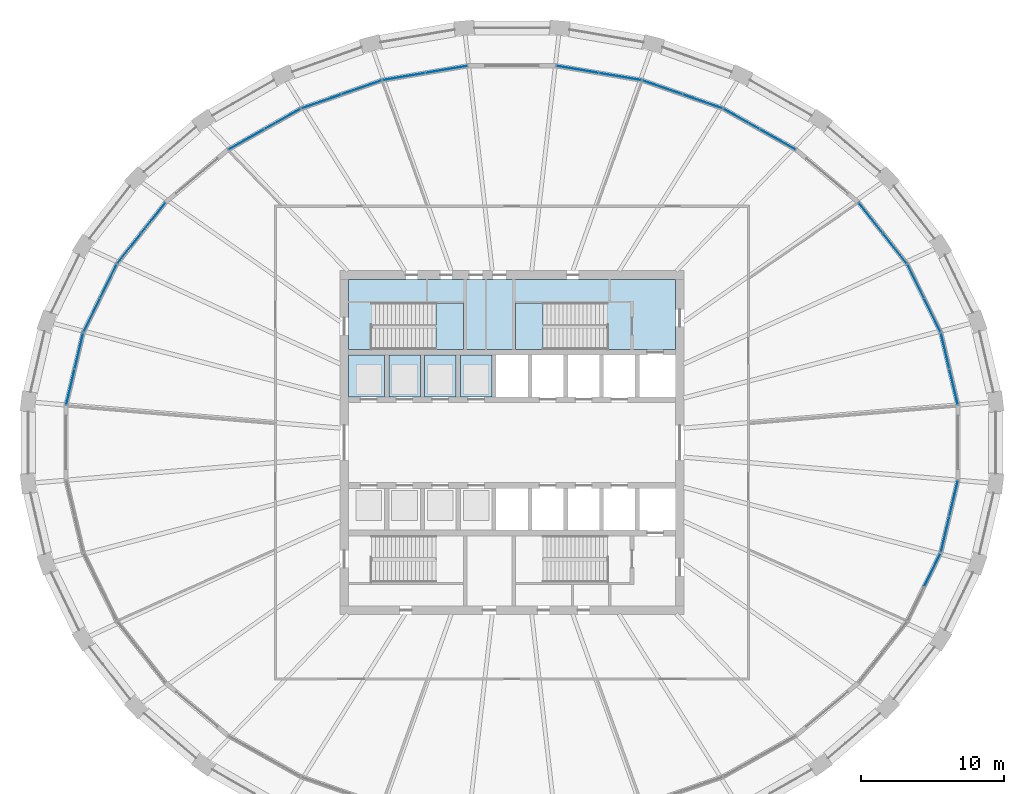
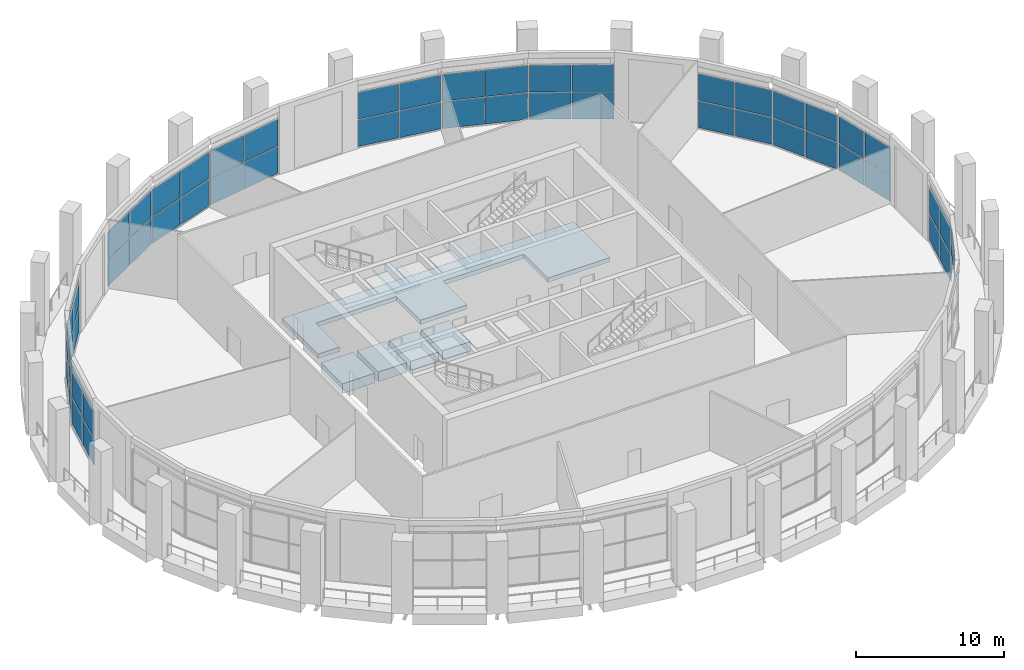
# One storey, part 11 of 19: 53 plates, 7 slabs, 16 elements without a shape of their own.
"""IFC4 building model written with IfcOpenShell, lengths in metres."""

from ifc_helpers import new_model, si_unit, direction, frame, origin, origin_2d, place, context, subcontext, project, spatial, polyline, rectangle, outline, extrude, material, layer, layer_set, type_object, element, aggregate, save


model = new_model("IFC4")

# Units and contexts
model_context = context("Model", 3, precision=1e-05, world=origin(), true_north=direction((0.0, 1.0)))
body_context = subcontext(model_context, "Body", "Model", "MODEL_VIEW")
ifc_project = project(units=[si_unit("LENGTHUNIT", "METRE"), si_unit("AREAUNIT", "SQUARE_METRE"), si_unit("VOLUMEUNIT", "CUBIC_METRE"), si_unit("PLANEANGLEUNIT", "RADIAN"), si_unit("MASSUNIT", "GRAM", prefix="KILO")], contexts=[model_context])

# Site, building, storey
site_placement = place(None, origin())
site = spatial("IfcSite", under=ifc_project, at=site_placement, CompositionType="ELEMENT")
building_placement = place(site_placement, origin())
building = spatial("IfcBuilding", under=site, at=building_placement, Name="Halqa Exchange Tower", CompositionType="ELEMENT")
storey_placement = place(building_placement, frame((0.0, 0.0, 167.5)))
storey = spatial("IfcBuildingStorey", under=building, at=storey_placement, Name="L38", CompositionType="ELEMENT", Elevation=167.5)

# Curtain wall, plates
ifc_material_1 = material(Name="Anodised aluminium and clear glass", Category="aluminium")
curtain_wall_type = type_object("IfcCurtainWallType", Name="Sky lobby glazing", PredefinedType="NOTDEFINED", material=ifc_material_1)
curtain_wall_1_placement = place(storey_placement, origin())
curtain_wall_1 = element("IfcCurtainWall", 1, at=curtain_wall_1_placement, inside=storey, type_object=curtain_wall_type, Name="Sky lobby glazing run G1", PredefinedType="NOTDEFINED")
ifc_material_2 = material(Name="Clear glass", Category="glass")
ifc_layer_1 = layer(ifc_material_2, 0.031982421875)
ifc_layer_set_1 = layer_set([ifc_layer_1], Name="Clear glass")
plate_type = type_object("IfcPlateType", Name="Clear low-emissivity glass panel 32", PredefinedType="CURTAIN_PANEL", material=ifc_layer_set_1)
plate_1_placement = place(storey_placement, frame((30.817626953125, 3.881103515625, 0.06982421875), z_axis=(0.0, 0.0, 1.0), x_axis=(-0.229317766019, 0.973351612825, 0.0)))
plate_1 = element("IfcPlate", 2, at=plate_1_placement, type_object=plate_type, Name="G1 panel 1.1", PredefinedType="CURTAIN_PANEL", context=body_context, shape_type="SweptSolid", body=[
    extrude(rectangle(XDim=2.50732421875, YDim=0.031982421875, at=origin_2d()), origin(), (0.0, 0.0, 1.0), 2.195068359375),
])
plate_2_placement = place(storey_placement, frame((30.817626953125, 3.881103515625, 2.3349609375), z_axis=(0.0, 0.0, 1.0), x_axis=(-0.229317766019, 0.973351612825, 0.0)))
plate_2 = element("IfcPlate", 3, at=plate_2_placement, type_object=plate_type, Name="G1 panel 1.2", PredefinedType="CURTAIN_PANEL", context=body_context, shape_type="SweptSolid", body=[
    extrude(rectangle(XDim=2.50732421875, YDim=0.031982421875, at=origin_2d()), origin(), (0.0, 0.0, 1.0), 2.195068359375),
])
plate_3_placement = place(storey_placement, frame((30.2265625, 6.389892578125, 0.06982421875), z_axis=(0.0, 0.0, 1.0), x_axis=(-0.229317766019, 0.973351612825, 0.0)))
plate_3 = element("IfcPlate", 4, at=plate_3_placement, type_object=plate_type, Name="G1 panel 2.1", PredefinedType="CURTAIN_PANEL", context=body_context, shape_type="SweptSolid", body=[
    extrude(rectangle(XDim=2.50732421875, YDim=0.031982421875, at=origin_2d()), origin(), (0.0, 0.0, 1.0), 2.195068359375),
])
plate_4_placement = place(storey_placement, frame((30.2265625, 6.389892578125, 2.3349609375), z_axis=(0.0, 0.0, 1.0), x_axis=(-0.229317766019, 0.973351612825, 0.0)))
plate_4 = element("IfcPlate", 5, at=plate_4_placement, type_object=plate_type, Name="G1 panel 2.2", PredefinedType="CURTAIN_PANEL", context=body_context, shape_type="SweptSolid", body=[
    extrude(rectangle(XDim=2.50732421875, YDim=0.031982421875, at=origin_2d()), origin(), (0.0, 0.0, 1.0), 2.195068359375),
])
aggregate(curtain_wall_1, [plate_1, plate_2, plate_3, plate_4])

curtain_wall_2_placement = place(storey_placement, origin())
curtain_wall_2 = element("IfcCurtainWall", 6, at=curtain_wall_2_placement, inside=storey, type_object=curtain_wall_type, Name="Sky lobby glazing run G2", PredefinedType="NOTDEFINED")
plate_5_placement = place(storey_placement, frame((29.328125, 8.890869140625, 0.06982421875), z_axis=(0.0, 0.0, 1.0), x_axis=(-0.440443527823, 0.897780317672, 0.0)))
plate_5 = element("IfcPlate", 7, at=plate_5_placement, type_object=plate_type, Name="G2 panel 1.1", PredefinedType="CURTAIN_PANEL", context=body_context, shape_type="SweptSolid", body=[
    extrude(rectangle(XDim=2.561767578125, YDim=0.031982421875, at=origin_2d()), origin(), (0.0, 0.0, 1.0), 2.195068359375),
])
plate_6_placement = place(storey_placement, frame((29.328125, 8.890869140625, 2.3349609375), z_axis=(0.0, 0.0, 1.0), x_axis=(-0.440443527823, 0.897780317672, 0.0)))
plate_6 = element("IfcPlate", 8, at=plate_6_placement, type_object=plate_type, Name="G2 panel 1.2", PredefinedType="CURTAIN_PANEL", context=body_context, shape_type="SweptSolid", body=[
    extrude(rectangle(XDim=2.561767578125, YDim=0.031982421875, at=origin_2d()), origin(), (0.0, 0.0, 1.0), 2.195068359375),
])
plate_7_placement = place(storey_placement, frame((28.1689453125, 11.253662109375, 0.06982421875), z_axis=(0.0, 0.0, 1.0), x_axis=(-0.440443527823, 0.897780317672, 0.0)))
plate_7 = element("IfcPlate", 9, at=plate_7_placement, type_object=plate_type, Name="G2 panel 2.1", PredefinedType="CURTAIN_PANEL", context=body_context, shape_type="SweptSolid", body=[
    extrude(rectangle(XDim=2.561767578125, YDim=0.031982421875, at=origin_2d()), origin(), (0.0, 0.0, 1.0), 2.195068359375),
])
plate_8_placement = place(storey_placement, frame((28.1689453125, 11.253662109375, 2.3349609375), z_axis=(0.0, 0.0, 1.0), x_axis=(-0.440443527823, 0.897780317672, 0.0)))
plate_8 = element("IfcPlate", 10, at=plate_8_placement, type_object=plate_type, Name="G2 panel 2.2", PredefinedType="CURTAIN_PANEL", context=body_context, shape_type="SweptSolid", body=[
    extrude(rectangle(XDim=2.561767578125, YDim=0.031982421875, at=origin_2d()), origin(), (0.0, 0.0, 1.0), 2.195068359375),
])
aggregate(curtain_wall_2, [plate_5, plate_6, plate_7, plate_8])

curtain_wall_3_placement = place(storey_placement, origin())
curtain_wall_3 = element("IfcCurtainWall", 11, at=curtain_wall_3_placement, inside=storey, type_object=curtain_wall_type, Name="Sky lobby glazing run G3", PredefinedType="NOTDEFINED")
plate_9_placement = place(storey_placement, frame((26.7109375, 13.55712890625, 0.06982421875), z_axis=(0.0, 0.0, 1.0), x_axis=(-0.620583563001, 0.784140319926, 0.0)))
plate_9 = element("IfcPlate", 12, at=plate_9_placement, type_object=plate_type, Name="G3 panel 1.1", PredefinedType="CURTAIN_PANEL", context=body_context, shape_type="SweptSolid", body=[
    extrude(rectangle(XDim=2.641357421875, YDim=0.031982421875, at=origin_2d()), origin(), (0.0, 0.0, 1.0), 2.195068359375),
])
plate_10_placement = place(storey_placement, frame((26.7109375, 13.55712890625, 2.3349609375), z_axis=(0.0, 0.0, 1.0), x_axis=(-0.620583563001, 0.784140319926, 0.0)))
plate_10 = element("IfcPlate", 13, at=plate_10_placement, type_object=plate_type, Name="G3 panel 1.2", PredefinedType="CURTAIN_PANEL", context=body_context, shape_type="SweptSolid", body=[
    extrude(rectangle(XDim=2.641357421875, YDim=0.031982421875, at=origin_2d()), origin(), (0.0, 0.0, 1.0), 2.195068359375),
])
plate_11_placement = place(storey_placement, frame((25.0283203125, 15.68310546875, 0.06982421875), z_axis=(0.0, 0.0, 1.0), x_axis=(-0.620583563001, 0.784140319926, 0.0)))
plate_11 = element("IfcPlate", 14, at=plate_11_placement, type_object=plate_type, Name="G3 panel 2.1", PredefinedType="CURTAIN_PANEL", context=body_context, shape_type="SweptSolid", body=[
    extrude(rectangle(XDim=2.641357421875, YDim=0.031982421875, at=origin_2d()), origin(), (0.0, 0.0, 1.0), 2.195068359375),
])
plate_12_placement = place(storey_placement, frame((25.0283203125, 15.68310546875, 2.3349609375), z_axis=(0.0, 0.0, 1.0), x_axis=(-0.620583563001, 0.784140319926, 0.0)))
plate_12 = element("IfcPlate", 15, at=plate_12_placement, type_object=plate_type, Name="G3 panel 2.2", PredefinedType="CURTAIN_PANEL", context=body_context, shape_type="SweptSolid", body=[
    extrude(rectangle(XDim=2.641357421875, YDim=0.031982421875, at=origin_2d()), origin(), (0.0, 0.0, 1.0), 2.195068359375),
])
aggregate(curtain_wall_3, [plate_9, plate_10, plate_11, plate_12])

curtain_wall_4_placement = place(storey_placement, origin())
curtain_wall_4 = element("IfcCurtainWall", 16, at=curtain_wall_4_placement, inside=storey, type_object=curtain_wall_type, Name="Sky lobby glazing run G5", PredefinedType="NOTDEFINED")
plate_13_placement = place(storey_placement, frame((18.53955078125, 21.162109375, 0.06982421875), z_axis=(0.0, 0.0, 1.0), x_axis=(-0.87096009073, 0.491353762941, 0.0)))
plate_13 = element("IfcPlate", 17, at=plate_13_placement, type_object=plate_type, Name="G5 panel 1.1", PredefinedType="CURTAIN_PANEL", context=body_context, shape_type="SweptSolid", body=[
    extrude(rectangle(XDim=2.82080078125, YDim=0.031982421875, at=origin_2d()), origin(), (0.0, 0.0, 1.0), 2.195068359375),
])
plate_14_placement = place(storey_placement, frame((18.53955078125, 21.162109375, 2.3349609375), z_axis=(0.0, 0.0, 1.0), x_axis=(-0.87096009073, 0.491353762941, 0.0)))
plate_14 = element("IfcPlate", 18, at=plate_14_placement, type_object=plate_type, Name="G5 panel 1.2", PredefinedType="CURTAIN_PANEL", context=body_context, shape_type="SweptSolid", body=[
    extrude(rectangle(XDim=2.82080078125, YDim=0.031982421875, at=origin_2d()), origin(), (0.0, 0.0, 1.0), 2.195068359375),
])
plate_15_placement = place(storey_placement, frame((16.02197265625, 22.58251953125, 0.06982421875), z_axis=(0.0, 0.0, 1.0), x_axis=(-0.87096009073, 0.491353762941, 0.0)))
plate_15 = element("IfcPlate", 19, at=plate_15_placement, type_object=plate_type, Name="G5 panel 2.1", PredefinedType="CURTAIN_PANEL", context=body_context, shape_type="SweptSolid", body=[
    extrude(rectangle(XDim=2.82080078125, YDim=0.031982421875, at=origin_2d()), origin(), (0.0, 0.0, 1.0), 2.195068359375),
])
plate_16_placement = place(storey_placement, frame((16.02197265625, 22.58251953125, 2.3349609375), z_axis=(0.0, 0.0, 1.0), x_axis=(-0.87096009073, 0.491353762941, 0.0)))
plate_16 = element("IfcPlate", 20, at=plate_16_placement, type_object=plate_type, Name="G5 panel 2.2", PredefinedType="CURTAIN_PANEL", context=body_context, shape_type="SweptSolid", body=[
    extrude(rectangle(XDim=2.82080078125, YDim=0.031982421875, at=origin_2d()), origin(), (0.0, 0.0, 1.0), 2.195068359375),
])
aggregate(curtain_wall_4, [plate_13, plate_14, plate_15, plate_16])

curtain_wall_5_placement = place(storey_placement, origin())
curtain_wall_5 = element("IfcCurtainWall", 21, at=curtain_wall_5_placement, inside=storey, type_object=curtain_wall_type, Name="Sky lobby glazing run G6", PredefinedType="NOTDEFINED")
plate_17_placement = place(storey_placement, frame((13.30078125, 23.810546875, 0.06982421875), z_axis=(0.0, 0.0, 1.0), x_axis=(-0.943945927978, 0.330100113683, 0.0)))
plate_17 = element("IfcPlate", 22, at=plate_17_placement, type_object=plate_type, Name="G6 panel 1.1", PredefinedType="CURTAIN_PANEL", context=body_context, shape_type="SweptSolid", body=[
    extrude(rectangle(XDim=2.8935546875, YDim=0.031982421875, at=origin_2d()), origin(), (0.0, 0.0, 1.0), 2.195068359375),
])
plate_18_placement = place(storey_placement, frame((13.30078125, 23.810546875, 2.3349609375), z_axis=(0.0, 0.0, 1.0), x_axis=(-0.943945927978, 0.330100113683, 0.0)))
plate_18 = element("IfcPlate", 23, at=plate_18_placement, type_object=plate_type, Name="G6 panel 1.2", PredefinedType="CURTAIN_PANEL", context=body_context, shape_type="SweptSolid", body=[
    extrude(rectangle(XDim=2.8935546875, YDim=0.031982421875, at=origin_2d()), origin(), (0.0, 0.0, 1.0), 2.195068359375),
])
plate_19_placement = place(storey_placement, frame((10.503173828125, 24.788818359375, 0.06982421875), z_axis=(0.0, 0.0, 1.0), x_axis=(-0.943945927978, 0.330100113683, 0.0)))
plate_19 = element("IfcPlate", 24, at=plate_19_placement, type_object=plate_type, Name="G6 panel 2.1", PredefinedType="CURTAIN_PANEL", context=body_context, shape_type="SweptSolid", body=[
    extrude(rectangle(XDim=2.8935546875, YDim=0.031982421875, at=origin_2d()), origin(), (0.0, 0.0, 1.0), 2.195068359375),
])
plate_20_placement = place(storey_placement, frame((10.503173828125, 24.788818359375, 2.3349609375), z_axis=(0.0, 0.0, 1.0), x_axis=(-0.943945927978, 0.330100113683, 0.0)))
plate_20 = element("IfcPlate", 25, at=plate_20_placement, type_object=plate_type, Name="G6 panel 2.2", PredefinedType="CURTAIN_PANEL", context=body_context, shape_type="SweptSolid", body=[
    extrude(rectangle(XDim=2.8935546875, YDim=0.031982421875, at=origin_2d()), origin(), (0.0, 0.0, 1.0), 2.195068359375),
])
aggregate(curtain_wall_5, [plate_17, plate_18, plate_19, plate_20])

curtain_wall_6_placement = place(storey_placement, origin())
curtain_wall_6 = element("IfcCurtainWall", 26, at=curtain_wall_6_placement, inside=storey, type_object=curtain_wall_type, Name="Sky lobby glazing run G7", PredefinedType="NOTDEFINED")
plate_21_placement = place(storey_placement, frame((7.552001953125, 25.544677734375, 0.06982421875), z_axis=(0.0, 0.0, 1.0), x_axis=(-0.986188660766, 0.165625859626, 0.0)))
plate_21 = element("IfcPlate", 27, at=plate_21_placement, type_object=plate_type, Name="G7 panel 1.1", PredefinedType="CURTAIN_PANEL", context=body_context, shape_type="SweptSolid", body=[
    extrude(rectangle(XDim=2.94140625, YDim=0.031982421875, at=origin_2d()), origin(), (0.0, 0.0, 1.0), 2.195068359375),
])
plate_22_placement = place(storey_placement, frame((7.552001953125, 25.544677734375, 2.3349609375), z_axis=(0.0, 0.0, 1.0), x_axis=(-0.986188660766, 0.165625859626, 0.0)))
plate_22 = element("IfcPlate", 28, at=plate_22_placement, type_object=plate_type, Name="G7 panel 1.2", PredefinedType="CURTAIN_PANEL", context=body_context, shape_type="SweptSolid", body=[
    extrude(rectangle(XDim=2.94140625, YDim=0.031982421875, at=origin_2d()), origin(), (0.0, 0.0, 1.0), 2.195068359375),
])
plate_23_placement = place(storey_placement, frame((4.582275390625, 26.04345703125, 0.06982421875), z_axis=(0.0, 0.0, 1.0), x_axis=(-0.986188660766, 0.165625859626, 0.0)))
plate_23 = element("IfcPlate", 29, at=plate_23_placement, type_object=plate_type, Name="G7 panel 2.1", PredefinedType="CURTAIN_PANEL", context=body_context, shape_type="SweptSolid", body=[
    extrude(rectangle(XDim=2.94140625, YDim=0.031982421875, at=origin_2d()), origin(), (0.0, 0.0, 1.0), 2.195068359375),
])
plate_24_placement = place(storey_placement, frame((4.582275390625, 26.04345703125, 2.3349609375), z_axis=(0.0, 0.0, 1.0), x_axis=(-0.986188660766, 0.165625859626, 0.0)))
plate_24 = element("IfcPlate", 30, at=plate_24_placement, type_object=plate_type, Name="G7 panel 2.2", PredefinedType="CURTAIN_PANEL", context=body_context, shape_type="SweptSolid", body=[
    extrude(rectangle(XDim=2.94140625, YDim=0.031982421875, at=origin_2d()), origin(), (0.0, 0.0, 1.0), 2.195068359375),
])
aggregate(curtain_wall_6, [plate_21, plate_22, plate_23, plate_24])

curtain_wall_7_placement = place(storey_placement, origin())
curtain_wall_7 = element("IfcCurtainWall", 31, at=curtain_wall_7_placement, inside=storey, type_object=curtain_wall_type, Name="Sky lobby glazing run G9", PredefinedType="NOTDEFINED")
plate_25_placement = place(storey_placement, frame((-4.582275390625, 26.04345703125, 0.06982421875), z_axis=(0.0, 0.0, 1.0), x_axis=(-0.986188660766, -0.165625859626, 0.0)))
plate_25 = element("IfcPlate", 32, at=plate_25_placement, type_object=plate_type, Name="G9 panel 1.1", PredefinedType="CURTAIN_PANEL", context=body_context, shape_type="SweptSolid", body=[
    extrude(rectangle(XDim=2.94140625, YDim=0.031982421875, at=origin_2d()), origin(), (0.0, 0.0, 1.0), 2.195068359375),
])
plate_26_placement = place(storey_placement, frame((-4.582275390625, 26.04345703125, 2.3349609375), z_axis=(0.0, 0.0, 1.0), x_axis=(-0.986188660766, -0.165625859626, 0.0)))
plate_26 = element("IfcPlate", 33, at=plate_26_placement, type_object=plate_type, Name="G9 panel 1.2", PredefinedType="CURTAIN_PANEL", context=body_context, shape_type="SweptSolid", body=[
    extrude(rectangle(XDim=2.94140625, YDim=0.031982421875, at=origin_2d()), origin(), (0.0, 0.0, 1.0), 2.195068359375),
])
plate_27_placement = place(storey_placement, frame((-7.552001953125, 25.544677734375, 0.06982421875), z_axis=(0.0, 0.0, 1.0), x_axis=(-0.986188660766, -0.165625859626, 0.0)))
plate_27 = element("IfcPlate", 34, at=plate_27_placement, type_object=plate_type, Name="G9 panel 2.1", PredefinedType="CURTAIN_PANEL", context=body_context, shape_type="SweptSolid", body=[
    extrude(rectangle(XDim=2.94140625, YDim=0.031982421875, at=origin_2d()), origin(), (0.0, 0.0, 1.0), 2.195068359375),
])
plate_28_placement = place(storey_placement, frame((-7.552001953125, 25.544677734375, 2.3349609375), z_axis=(0.0, 0.0, 1.0), x_axis=(-0.986188660766, -0.165625859626, 0.0)))
plate_28 = element("IfcPlate", 35, at=plate_28_placement, type_object=plate_type, Name="G9 panel 2.2", PredefinedType="CURTAIN_PANEL", context=body_context, shape_type="SweptSolid", body=[
    extrude(rectangle(XDim=2.94140625, YDim=0.031982421875, at=origin_2d()), origin(), (0.0, 0.0, 1.0), 2.195068359375),
])
aggregate(curtain_wall_7, [plate_25, plate_26, plate_27, plate_28])

curtain_wall_8_placement = place(storey_placement, origin())
curtain_wall_8 = element("IfcCurtainWall", 36, at=curtain_wall_8_placement, inside=storey, type_object=curtain_wall_type, Name="Sky lobby glazing run G10", PredefinedType="NOTDEFINED")
plate_29_placement = place(storey_placement, frame((-10.503173828125, 24.788818359375, 0.06982421875), z_axis=(0.0, 0.0, 1.0), x_axis=(-0.943945927978, -0.330100113683, 0.0)))
plate_29 = element("IfcPlate", 37, at=plate_29_placement, type_object=plate_type, Name="G10 panel 1.1", PredefinedType="CURTAIN_PANEL", context=body_context, shape_type="SweptSolid", body=[
    extrude(rectangle(XDim=2.8935546875, YDim=0.031982421875, at=origin_2d()), origin(), (0.0, 0.0, 1.0), 2.195068359375),
])
plate_30_placement = place(storey_placement, frame((-10.503173828125, 24.788818359375, 2.3349609375), z_axis=(0.0, 0.0, 1.0), x_axis=(-0.943945927978, -0.330100113683, 0.0)))
plate_30 = element("IfcPlate", 38, at=plate_30_placement, type_object=plate_type, Name="G10 panel 1.2", PredefinedType="CURTAIN_PANEL", context=body_context, shape_type="SweptSolid", body=[
    extrude(rectangle(XDim=2.8935546875, YDim=0.031982421875, at=origin_2d()), origin(), (0.0, 0.0, 1.0), 2.195068359375),
])
plate_31_placement = place(storey_placement, frame((-13.30078125, 23.810546875, 0.06982421875), z_axis=(0.0, 0.0, 1.0), x_axis=(-0.943945927978, -0.330100113683, 0.0)))
plate_31 = element("IfcPlate", 39, at=plate_31_placement, type_object=plate_type, Name="G10 panel 2.1", PredefinedType="CURTAIN_PANEL", context=body_context, shape_type="SweptSolid", body=[
    extrude(rectangle(XDim=2.8935546875, YDim=0.031982421875, at=origin_2d()), origin(), (0.0, 0.0, 1.0), 2.195068359375),
])
plate_32_placement = place(storey_placement, frame((-13.30078125, 23.810546875, 2.3349609375), z_axis=(0.0, 0.0, 1.0), x_axis=(-0.943945927978, -0.330100113683, 0.0)))
plate_32 = element("IfcPlate", 40, at=plate_32_placement, type_object=plate_type, Name="G10 panel 2.2", PredefinedType="CURTAIN_PANEL", context=body_context, shape_type="SweptSolid", body=[
    extrude(rectangle(XDim=2.8935546875, YDim=0.031982421875, at=origin_2d()), origin(), (0.0, 0.0, 1.0), 2.195068359375),
])
aggregate(curtain_wall_8, [plate_29, plate_30, plate_31, plate_32])

curtain_wall_9_placement = place(storey_placement, origin())
curtain_wall_9 = element("IfcCurtainWall", 41, at=curtain_wall_9_placement, inside=storey, type_object=curtain_wall_type, Name="Sky lobby glazing run G11", PredefinedType="NOTDEFINED")
plate_33_placement = place(storey_placement, frame((-16.02197265625, 22.58251953125, 0.06982421875), z_axis=(0.0, 0.0, 1.0), x_axis=(-0.87096009073, -0.491353762941, 0.0)))
plate_33 = element("IfcPlate", 42, at=plate_33_placement, type_object=plate_type, Name="G11 panel 1.1", PredefinedType="CURTAIN_PANEL", context=body_context, shape_type="SweptSolid", body=[
    extrude(rectangle(XDim=2.82080078125, YDim=0.031982421875, at=origin_2d()), origin(), (0.0, 0.0, 1.0), 2.195068359375),
])
plate_34_placement = place(storey_placement, frame((-16.02197265625, 22.58251953125, 2.3349609375), z_axis=(0.0, 0.0, 1.0), x_axis=(-0.87096009073, -0.491353762941, 0.0)))
plate_34 = element("IfcPlate", 43, at=plate_34_placement, type_object=plate_type, Name="G11 panel 1.2", PredefinedType="CURTAIN_PANEL", context=body_context, shape_type="SweptSolid", body=[
    extrude(rectangle(XDim=2.82080078125, YDim=0.031982421875, at=origin_2d()), origin(), (0.0, 0.0, 1.0), 2.195068359375),
])
plate_35_placement = place(storey_placement, frame((-18.53955078125, 21.162109375, 0.06982421875), z_axis=(0.0, 0.0, 1.0), x_axis=(-0.87096009073, -0.491353762941, 0.0)))
plate_35 = element("IfcPlate", 44, at=plate_35_placement, type_object=plate_type, Name="G11 panel 2.1", PredefinedType="CURTAIN_PANEL", context=body_context, shape_type="SweptSolid", body=[
    extrude(rectangle(XDim=2.82080078125, YDim=0.031982421875, at=origin_2d()), origin(), (0.0, 0.0, 1.0), 2.195068359375),
])
plate_36_placement = place(storey_placement, frame((-18.53955078125, 21.162109375, 2.3349609375), z_axis=(0.0, 0.0, 1.0), x_axis=(-0.87096009073, -0.491353762941, 0.0)))
plate_36 = element("IfcPlate", 45, at=plate_36_placement, type_object=plate_type, Name="G11 panel 2.2", PredefinedType="CURTAIN_PANEL", context=body_context, shape_type="SweptSolid", body=[
    extrude(rectangle(XDim=2.82080078125, YDim=0.031982421875, at=origin_2d()), origin(), (0.0, 0.0, 1.0), 2.195068359375),
])
aggregate(curtain_wall_9, [plate_33, plate_34, plate_35, plate_36])

curtain_wall_10_placement = place(storey_placement, origin())
curtain_wall_10 = element("IfcCurtainWall", 46, at=curtain_wall_10_placement, inside=storey, type_object=curtain_wall_type, Name="Sky lobby glazing run G13", PredefinedType="NOTDEFINED")
plate_37_placement = place(storey_placement, frame((-25.0283203125, 15.68310546875, 0.06982421875), z_axis=(0.0, 0.0, 1.0), x_axis=(-0.620583563001, -0.784140319926, 0.0)))
plate_37 = element("IfcPlate", 47, at=plate_37_placement, type_object=plate_type, Name="G13 panel 1.1", PredefinedType="CURTAIN_PANEL", context=body_context, shape_type="SweptSolid", body=[
    extrude(rectangle(XDim=2.641357421875, YDim=0.031982421875, at=origin_2d()), origin(), (0.0, 0.0, 1.0), 2.195068359375),
])
plate_38_placement = place(storey_placement, frame((-25.0283203125, 15.68310546875, 2.3349609375), z_axis=(0.0, 0.0, 1.0), x_axis=(-0.620583563001, -0.784140319926, 0.0)))
plate_38 = element("IfcPlate", 48, at=plate_38_placement, type_object=plate_type, Name="G13 panel 1.2", PredefinedType="CURTAIN_PANEL", context=body_context, shape_type="SweptSolid", body=[
    extrude(rectangle(XDim=2.641357421875, YDim=0.031982421875, at=origin_2d()), origin(), (0.0, 0.0, 1.0), 2.195068359375),
])
plate_39_placement = place(storey_placement, frame((-26.7109375, 13.55712890625, 0.06982421875), z_axis=(0.0, 0.0, 1.0), x_axis=(-0.620583563001, -0.784140319926, 0.0)))
plate_39 = element("IfcPlate", 49, at=plate_39_placement, type_object=plate_type, Name="G13 panel 2.1", PredefinedType="CURTAIN_PANEL", context=body_context, shape_type="SweptSolid", body=[
    extrude(rectangle(XDim=2.641357421875, YDim=0.031982421875, at=origin_2d()), origin(), (0.0, 0.0, 1.0), 2.195068359375),
])
plate_40_placement = place(storey_placement, frame((-26.7109375, 13.55712890625, 2.3349609375), z_axis=(0.0, 0.0, 1.0), x_axis=(-0.620583563001, -0.784140319926, 0.0)))
plate_40 = element("IfcPlate", 50, at=plate_40_placement, type_object=plate_type, Name="G13 panel 2.2", PredefinedType="CURTAIN_PANEL", context=body_context, shape_type="SweptSolid", body=[
    extrude(rectangle(XDim=2.641357421875, YDim=0.031982421875, at=origin_2d()), origin(), (0.0, 0.0, 1.0), 2.195068359375),
])
aggregate(curtain_wall_10, [plate_37, plate_38, plate_39, plate_40])

curtain_wall_11_placement = place(storey_placement, origin())
curtain_wall_11 = element("IfcCurtainWall", 51, at=curtain_wall_11_placement, inside=storey, type_object=curtain_wall_type, Name="Sky lobby glazing run G14", PredefinedType="NOTDEFINED")
plate_41_placement = place(storey_placement, frame((-28.1689453125, 11.253662109375, 0.06982421875), z_axis=(0.0, 0.0, 1.0), x_axis=(-0.440443527823, -0.897780317672, 0.0)))
plate_41 = element("IfcPlate", 52, at=plate_41_placement, type_object=plate_type, Name="G14 panel 1.1", PredefinedType="CURTAIN_PANEL", context=body_context, shape_type="SweptSolid", body=[
    extrude(rectangle(XDim=2.561767578125, YDim=0.031982421875, at=origin_2d()), origin(), (0.0, 0.0, 1.0), 2.195068359375),
])
plate_42_placement = place(storey_placement, frame((-28.1689453125, 11.253662109375, 2.3349609375), z_axis=(0.0, 0.0, 1.0), x_axis=(-0.440443527823, -0.897780317672, 0.0)))
plate_42 = element("IfcPlate", 53, at=plate_42_placement, type_object=plate_type, Name="G14 panel 1.2", PredefinedType="CURTAIN_PANEL", context=body_context, shape_type="SweptSolid", body=[
    extrude(rectangle(XDim=2.561767578125, YDim=0.031982421875, at=origin_2d()), origin(), (0.0, 0.0, 1.0), 2.195068359375),
])
plate_43_placement = place(storey_placement, frame((-29.328125, 8.890869140625, 0.06982421875), z_axis=(0.0, 0.0, 1.0), x_axis=(-0.440443527823, -0.897780317672, 0.0)))
plate_43 = element("IfcPlate", 54, at=plate_43_placement, type_object=plate_type, Name="G14 panel 2.1", PredefinedType="CURTAIN_PANEL", context=body_context, shape_type="SweptSolid", body=[
    extrude(rectangle(XDim=2.561767578125, YDim=0.031982421875, at=origin_2d()), origin(), (0.0, 0.0, 1.0), 2.195068359375),
])
plate_44_placement = place(storey_placement, frame((-29.328125, 8.890869140625, 2.3349609375), z_axis=(0.0, 0.0, 1.0), x_axis=(-0.440443527823, -0.897780317672, 0.0)))
plate_44 = element("IfcPlate", 55, at=plate_44_placement, type_object=plate_type, Name="G14 panel 2.2", PredefinedType="CURTAIN_PANEL", context=body_context, shape_type="SweptSolid", body=[
    extrude(rectangle(XDim=2.561767578125, YDim=0.031982421875, at=origin_2d()), origin(), (0.0, 0.0, 1.0), 2.195068359375),
])
aggregate(curtain_wall_11, [plate_41, plate_42, plate_43, plate_44])

curtain_wall_12_placement = place(storey_placement, origin())
curtain_wall_12 = element("IfcCurtainWall", 56, at=curtain_wall_12_placement, inside=storey, type_object=curtain_wall_type, Name="Sky lobby glazing run G15", PredefinedType="NOTDEFINED")
plate_45_placement = place(storey_placement, frame((-30.2265625, 6.389892578125, 0.06982421875), z_axis=(0.0, 0.0, 1.0), x_axis=(-0.229317766019, -0.973351612825, 0.0)))
plate_45 = element("IfcPlate", 57, at=plate_45_placement, type_object=plate_type, Name="G15 panel 1.1", PredefinedType="CURTAIN_PANEL", context=body_context, shape_type="SweptSolid", body=[
    extrude(rectangle(XDim=2.50732421875, YDim=0.031982421875, at=origin_2d()), origin(), (0.0, 0.0, 1.0), 2.195068359375),
])
plate_46_placement = place(storey_placement, frame((-30.2265625, 6.389892578125, 2.3349609375), z_axis=(0.0, 0.0, 1.0), x_axis=(-0.229317766019, -0.973351612825, 0.0)))
plate_46 = element("IfcPlate", 58, at=plate_46_placement, type_object=plate_type, Name="G15 panel 1.2", PredefinedType="CURTAIN_PANEL", context=body_context, shape_type="SweptSolid", body=[
    extrude(rectangle(XDim=2.50732421875, YDim=0.031982421875, at=origin_2d()), origin(), (0.0, 0.0, 1.0), 2.195068359375),
])
plate_47_placement = place(storey_placement, frame((-30.817626953125, 3.881103515625, 0.06982421875), z_axis=(0.0, 0.0, 1.0), x_axis=(-0.229317766019, -0.973351612825, 0.0)))
plate_47 = element("IfcPlate", 59, at=plate_47_placement, type_object=plate_type, Name="G15 panel 2.1", PredefinedType="CURTAIN_PANEL", context=body_context, shape_type="SweptSolid", body=[
    extrude(rectangle(XDim=2.50732421875, YDim=0.031982421875, at=origin_2d()), origin(), (0.0, 0.0, 1.0), 2.195068359375),
])
plate_48_placement = place(storey_placement, frame((-30.817626953125, 3.881103515625, 2.3349609375), z_axis=(0.0, 0.0, 1.0), x_axis=(-0.229317766019, -0.973351612825, 0.0)))
plate_48 = element("IfcPlate", 60, at=plate_48_placement, type_object=plate_type, Name="G15 panel 2.2", PredefinedType="CURTAIN_PANEL", context=body_context, shape_type="SweptSolid", body=[
    extrude(rectangle(XDim=2.50732421875, YDim=0.031982421875, at=origin_2d()), origin(), (0.0, 0.0, 1.0), 2.195068359375),
])
aggregate(curtain_wall_12, [plate_45, plate_46, plate_47, plate_48])

# Curtain wall, plate
curtain_wall_13_placement = place(storey_placement, origin())
curtain_wall_13 = element("IfcCurtainWall", 61, at=curtain_wall_13_placement, inside=storey, type_object=curtain_wall_type, Name="Sky lobby glazing run G30", PredefinedType="NOTDEFINED")
plate_49_placement = place(storey_placement, frame((29.328125, -8.890869140625, 2.3349609375), z_axis=(0.0, 0.0, 1.0), x_axis=(0.440443527823, 0.897780317672, 0.0)))
plate_49 = element("IfcPlate", 62, at=plate_49_placement, type_object=plate_type, Name="G30 panel 2.2", PredefinedType="CURTAIN_PANEL", context=body_context, shape_type="SweptSolid", body=[
    extrude(rectangle(XDim=2.561767578125, YDim=0.031982421875, at=origin_2d()), origin(), (0.0, 0.0, 1.0), 2.195068359375),
])
aggregate(curtain_wall_13, [plate_49])

# Curtain wall, plates
curtain_wall_14_placement = place(storey_placement, origin())
curtain_wall_14 = element("IfcCurtainWall", 63, at=curtain_wall_14_placement, inside=storey, type_object=curtain_wall_type, Name="Sky lobby glazing run G31", PredefinedType="NOTDEFINED")
plate_50_placement = place(storey_placement, frame((30.2265625, -6.389892578125, 0.06982421875), z_axis=(0.0, 0.0, 1.0), x_axis=(0.229317766019, 0.973351612825, 0.0)))
plate_50 = element("IfcPlate", 64, at=plate_50_placement, type_object=plate_type, Name="G31 panel 1.1", PredefinedType="CURTAIN_PANEL", context=body_context, shape_type="SweptSolid", body=[
    extrude(rectangle(XDim=2.50732421875, YDim=0.031982421875, at=origin_2d()), origin(), (0.0, 0.0, 1.0), 2.195068359375),
])
plate_51_placement = place(storey_placement, frame((30.2265625, -6.389892578125, 2.3349609375), z_axis=(0.0, 0.0, 1.0), x_axis=(0.229317766019, 0.973351612825, 0.0)))
plate_51 = element("IfcPlate", 65, at=plate_51_placement, type_object=plate_type, Name="G31 panel 1.2", PredefinedType="CURTAIN_PANEL", context=body_context, shape_type="SweptSolid", body=[
    extrude(rectangle(XDim=2.50732421875, YDim=0.031982421875, at=origin_2d()), origin(), (0.0, 0.0, 1.0), 2.195068359375),
])
plate_52_placement = place(storey_placement, frame((30.817626953125, -3.881103515625, 0.06982421875), z_axis=(0.0, 0.0, 1.0), x_axis=(0.229317766019, 0.973351612825, 0.0)))
plate_52 = element("IfcPlate", 66, at=plate_52_placement, type_object=plate_type, Name="G31 panel 2.1", PredefinedType="CURTAIN_PANEL", context=body_context, shape_type="SweptSolid", body=[
    extrude(rectangle(XDim=2.50732421875, YDim=0.031982421875, at=origin_2d()), origin(), (0.0, 0.0, 1.0), 2.195068359375),
])
plate_53_placement = place(storey_placement, frame((30.817626953125, -3.881103515625, 2.3349609375), z_axis=(0.0, 0.0, 1.0), x_axis=(0.229317766019, 0.973351612825, 0.0)))
plate_53 = element("IfcPlate", 67, at=plate_53_placement, type_object=plate_type, Name="G31 panel 2.2", PredefinedType="CURTAIN_PANEL", context=body_context, shape_type="SweptSolid", body=[
    extrude(rectangle(XDim=2.50732421875, YDim=0.031982421875, at=origin_2d()), origin(), (0.0, 0.0, 1.0), 2.195068359375),
])
aggregate(curtain_wall_14, [plate_50, plate_51, plate_52, plate_53])

# Slabs
ifc_material_3 = material(Name="Concrete C60/75", Category="concrete")
ifc_layer_2 = layer(ifc_material_3, 0.35009765625)
ifc_layer_set_2 = layer_set([ifc_layer_2], Name="Concrete C60/75")
slab_type_1 = type_object("IfcSlabType", Name="Core floor slab 350", PredefinedType="FLOOR", material=ifc_layer_set_2)
slab_1_placement = place(storey_placement, frame((0.0, 0.0, -0.35009765625)))
element("IfcSlab", 68, at=slab_1_placement, inside=storey, type_object=slab_type_1, Name="Core floor slab", PredefinedType="FLOOR", context=body_context, shape_type="SweptSolid", body=[
    extrude(outline(polyline([(-11.39990234375, 11.39990234375), (11.39990234375, 11.39990234375), (11.39990234375, 6.5), (6.550048828125, 6.5), (6.550048828125, 9.75), (0.25, 9.75), (0.25, 6.5), (-3.39990234375, 6.5), (-3.39990234375, 9.75), (-9.699951171875, 9.75), (-9.699951171875, 6.5), (-11.39990234375, 6.5), (-11.39990234375, 11.39990234375)])), origin(), (0.0, 0.0, 1.0), 0.35009765625),
])
ifc_layer_3 = layer(ifc_material_3, 0.800048828125)
ifc_layer_set_3 = layer_set([ifc_layer_3], Name="Concrete C60/75")
slab_type_2 = type_object("IfcSlabType", Name="Lift pit slab 800", PredefinedType="BASESLAB", material=ifc_layer_set_3)
slab_2_placement = place(storey_placement, frame((0.0, 0.0, -1.25)))
element("IfcSlab", 69, at=slab_2_placement, inside=storey, type_object=slab_type_2, Name="Lift pit slab HR1", PredefinedType="BASESLAB", context=body_context, shape_type="SweptSolid", body=[
    extrude(outline(polyline([(-11.39990234375, 3.199951171875), (-8.89990234375, 3.199951171875), (-8.89990234375, 6.10009765625), (-11.39990234375, 6.10009765625), (-11.39990234375, 3.199951171875)])), origin(), (0.0, 0.0, 1.0), 0.800048828125),
])
slab_3_placement = place(storey_placement, frame((0.0, 0.0, -1.25)))
element("IfcSlab", 70, at=slab_3_placement, inside=storey, type_object=slab_type_2, Name="Lift pit slab HR2", PredefinedType="BASESLAB", context=body_context, shape_type="SweptSolid", body=[
    extrude(outline(polyline([(-8.60009765625, 3.199951171875), (-6.39990234375, 3.199951171875), (-6.39990234375, 6.10009765625), (-8.60009765625, 6.10009765625), (-8.60009765625, 3.199951171875)])), origin(), (0.0, 0.0, 1.0), 0.800048828125),
])
slab_4_placement = place(storey_placement, frame((0.0, 0.0, -1.25)))
element("IfcSlab", 71, at=slab_4_placement, inside=storey, type_object=slab_type_2, Name="Lift pit slab MR1", PredefinedType="BASESLAB", context=body_context, shape_type="SweptSolid", body=[
    extrude(outline(polyline([(-6.10009765625, 3.199951171875), (-3.89990234375, 3.199951171875), (-3.89990234375, 6.10009765625), (-6.10009765625, 6.10009765625), (-6.10009765625, 3.199951171875)])), origin(), (0.0, 0.0, 1.0), 0.800048828125),
])
slab_5_placement = place(storey_placement, frame((0.0, 0.0, -1.25)))
element("IfcSlab", 72, at=slab_5_placement, inside=storey, type_object=slab_type_2, Name="Lift pit slab MR2", PredefinedType="BASESLAB", context=body_context, shape_type="SweptSolid", body=[
    extrude(outline(polyline([(-3.60009765625, 3.199951171875), (-1.39990234375, 3.199951171875), (-1.39990234375, 6.10009765625), (-3.60009765625, 6.10009765625), (-3.60009765625, 3.199951171875)])), origin(), (0.0, 0.0, 1.0), 0.800048828125),
])

# Stair, slab
ifc_material_4 = material(Name="Concrete C30/37", Category="concrete")
stair_type = type_object("IfcStairType", Name="Exit stair 1500 wide", PredefinedType="HALF_TURN_STAIR", material=ifc_material_4)
stair_1_placement = place(storey_placement, origin())
stair_1 = element("IfcStair", 73, at=stair_1_placement, inside=storey, type_object=stair_type, Name="Exit stair ST1", PredefinedType="HALF_TURN_STAIR")
ifc_layer_4 = layer(ifc_material_4, 0.199951171875)
ifc_layer_set_4 = layer_set([ifc_layer_4], Name="Concrete C30/37")
slab_type_3 = type_object("IfcSlabType", Name="Stair landing 200 slab", PredefinedType="LANDING", material=ifc_layer_set_4)
slab_6_placement = place(storey_placement, frame((0.0, 0.0, 2.800048828125)))
slab_6 = element("IfcSlab", 74, at=slab_6_placement, type_object=slab_type_3, Name="ST1 landing 1", PredefinedType="LANDING", context=body_context, shape_type="SweptSolid", body=[
    extrude(outline(polyline([(-5.320068359375, 6.5), (-3.39990234375, 6.5), (-3.39990234375, 9.75), (-5.320068359375, 9.75), (-5.320068359375, 6.5)])), origin(), (0.0, 0.0, 1.0), 0.199951171875),
])
aggregate(stair_1, [slab_6])

stair_2_placement = place(storey_placement, origin())
stair_2 = element("IfcStair", 75, at=stair_2_placement, inside=storey, type_object=stair_type, Name="Exit stair ST2", PredefinedType="HALF_TURN_STAIR")
slab_7_placement = place(storey_placement, frame((0.0, 0.0, 2.800048828125)))
slab_7 = element("IfcSlab", 76, at=slab_7_placement, type_object=slab_type_3, Name="ST2 landing 1", PredefinedType="LANDING", context=body_context, shape_type="SweptSolid", body=[
    extrude(outline(polyline([(0.25, 6.5), (2.169921875, 6.5), (2.169921875, 9.75), (0.25, 9.75), (0.25, 6.5)])), origin(), (0.0, 0.0, 1.0), 0.199951171875),
])
aggregate(stair_2, [slab_7])

save(model, "model.ifc")
